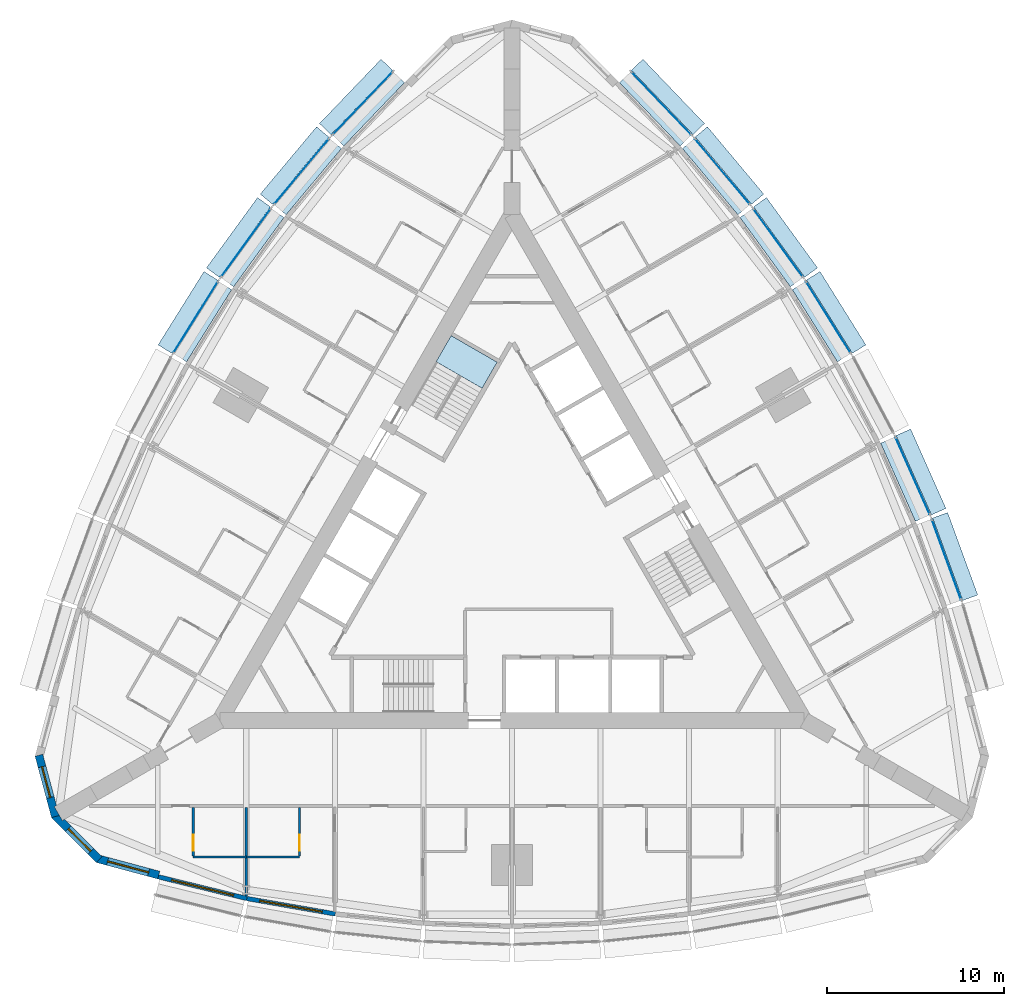
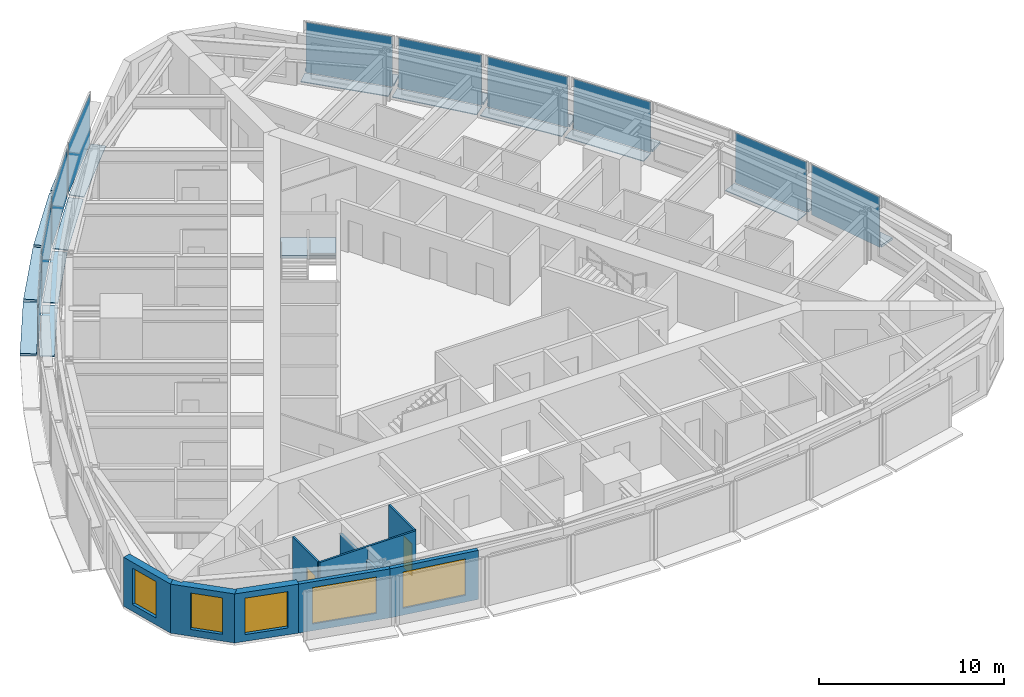
# One storey, part 7 of 14: 29 plates, 10 walls, 5 windows, 2 doors, 1 slab, 7 openings, 11 elements without a shape of their own.
"""IFC4 building model written with IfcOpenShell, lengths in metres."""

from ifc_helpers import new_model, si_unit, direction, frame, frame_2d, origin, origin_2d, place, context, subcontext, project, spatial, polyline, rectangle, outline, extrude, material, layer, layer_set, type_object, element, fill, aggregate, save


model = new_model("IFC4")

# Units and contexts
model_context = context("Model", 3, precision=1e-05, world=origin(), true_north=direction((0.0, 1.0)))
body_context = subcontext(model_context, "Body", "Model", "MODEL_VIEW")
ifc_project = project(units=[si_unit("LENGTHUNIT", "METRE"), si_unit("AREAUNIT", "SQUARE_METRE"), si_unit("VOLUMEUNIT", "CUBIC_METRE"), si_unit("PLANEANGLEUNIT", "RADIAN"), si_unit("MASSUNIT", "GRAM", prefix="KILO")], contexts=[model_context])

# Site, building, storey
site_placement = place(None, origin())
site = spatial("IfcSite", under=ifc_project, at=site_placement, CompositionType="ELEMENT")
building_placement = place(site_placement, origin())
building = spatial("IfcBuilding", under=site, at=building_placement, Name="Trikona Tower", CompositionType="ELEMENT")
storey_placement = place(building_placement, frame((0.0, 0.0, 138.5)))
storey = spatial("IfcBuildingStorey", under=building, at=storey_placement, Name="L36", CompositionType="ELEMENT", Elevation=138.5)

# Plates
ifc_material_1 = material(Name="Aluminium bar grating", Category="aluminium")
ifc_layer_1 = layer(ifc_material_1, 0.050048828125)
ifc_layer_set_1 = layer_set([ifc_layer_1], Name="Cavity catwalk grating")
plate_type_1 = type_object("IfcPlateType", Name="Cavity catwalk grating", PredefinedType="USERDEFINED", material=ifc_layer_set_1)
plate_1_placement = place(storey_placement, frame((22.175048828125, 4.092529296875, -0.0498046875), z_axis=(0.0, 0.0, 1.0), x_axis=(-0.406843467615, 0.913497888809, 0.0)))
element("IfcPlate", 1, at=plate_1_placement, inside=storey, type_object=plate_type_1, Name="Cavity catwalk L36-14", ObjectType="CATWALK GRATING", PredefinedType="USERDEFINED", context=body_context, shape_type="SweptSolid", body=[
    extrude(rectangle(XDim=4.827392578125, YDim=0.830078125, at=origin_2d()), origin(), (0.0, 0.0, 1.0), 0.050048828125),
])
plate_2_placement = place(storey_placement, frame((17.450927734375, 12.978759765625, -0.0498046875), z_axis=(0.0, 0.0, 1.0), x_axis=(-0.529994748414, 0.848000923734, 0.0)))
element("IfcPlate", 2, at=plate_2_placement, inside=storey, type_object=plate_type_1, Name="Cavity catwalk L36-16", ObjectType="CATWALK GRATING", PredefinedType="USERDEFINED", context=body_context, shape_type="SweptSolid", body=[
    extrude(rectangle(XDim=4.802978515625, YDim=0.830078125, at=origin_2d()), origin(), (0.0, 0.0, 1.0), 0.050048828125),
])
plate_3_placement = place(storey_placement, frame((14.6318359375, 17.157958984375, -0.0498046875), z_axis=(0.0, 0.0, 1.0), x_axis=(-0.587686407834, 0.809088799853, 0.0)))
element("IfcPlate", 3, at=plate_3_placement, inside=storey, type_object=plate_type_1, Name="Cavity catwalk L36-17", ObjectType="CATWALK GRATING", PredefinedType="USERDEFINED", context=body_context, shape_type="SweptSolid", body=[
    extrude(rectangle(XDim=4.827392578125, YDim=0.830078125, at=origin_2d()), origin(), (0.0, 0.0, 1.0), 0.050048828125),
])
plate_4_placement = place(storey_placement, frame((11.508056640625, 21.160400390625, -0.0498046875), z_axis=(0.0, 0.0, 1.0), x_axis=(-0.641807063101, 0.766866151133, 0.0)))
element("IfcPlate", 4, at=plate_4_placement, inside=storey, type_object=plate_type_1, Name="Cavity catwalk L36-18", ObjectType="CATWALK GRATING", PredefinedType="USERDEFINED", context=body_context, shape_type="SweptSolid", body=[
    extrude(rectangle(XDim=4.8759765625, YDim=0.830078125, at=origin_2d()), origin(), (0.0, 0.0, 1.0), 0.050048828125),
])
for number, where, z_axis, x_axis, name in (
    (5, (8.080078125, 24.986328125, -0.0498046875), (0.0, 0.0, 1.0), (-0.691723573819, 0.722162376078, 0.0), "Cavity catwalk L36-19"),
    (6, (-8.080078125, 24.986328125, -0.0498046875), (0.0, 0.0, 1.0), (-0.691723573819, -0.722162376078, 0.0), "Cavity catwalk L36-24"),
):
    element("IfcPlate", number, at=place(storey_placement, frame(where, z_axis=z_axis, x_axis=x_axis)), inside=storey, type_object=plate_type_1, Name=name, ObjectType="CATWALK GRATING", PredefinedType="USERDEFINED", context=body_context, shape_type="SweptSolid", body=[
        extrude(rectangle(XDim=4.947998046875, YDim=0.830078125, at=origin_2d()), origin(), (0.0, 0.0, 1.0), 0.050048828125),
    ])
plate_5_placement = place(storey_placement, frame((-11.508056640625, 21.160400390625, -0.0498046875), z_axis=(0.0, 0.0, 1.0), x_axis=(-0.641807063101, -0.766866151133, 0.0)))
element("IfcPlate", 7, at=plate_5_placement, inside=storey, type_object=plate_type_1, Name="Cavity catwalk L36-25", ObjectType="CATWALK GRATING", PredefinedType="USERDEFINED", context=body_context, shape_type="SweptSolid", body=[
    extrude(rectangle(XDim=4.8759765625, YDim=0.830078125, at=origin_2d()), origin(), (0.0, 0.0, 1.0), 0.050048828125),
])
plate_6_placement = place(storey_placement, frame((-14.6318359375, 17.157958984375, -0.0498046875), z_axis=(0.0, 0.0, 1.0), x_axis=(-0.587686407834, -0.809088799853, 0.0)))
element("IfcPlate", 8, at=plate_6_placement, inside=storey, type_object=plate_type_1, Name="Cavity catwalk L36-26", ObjectType="CATWALK GRATING", PredefinedType="USERDEFINED", context=body_context, shape_type="SweptSolid", body=[
    extrude(rectangle(XDim=4.827392578125, YDim=0.830078125, at=origin_2d()), origin(), (0.0, 0.0, 1.0), 0.050048828125),
])
plate_7_placement = place(storey_placement, frame((-17.450927734375, 12.978759765625, -0.0498046875), z_axis=(0.0, 0.0, 1.0), x_axis=(-0.529994748414, -0.848000923734, 0.0)))
element("IfcPlate", 9, at=plate_7_placement, inside=storey, type_object=plate_type_1, Name="Cavity catwalk L36-27", ObjectType="CATWALK GRATING", PredefinedType="USERDEFINED", context=body_context, shape_type="SweptSolid", body=[
    extrude(rectangle(XDim=4.802978515625, YDim=0.830078125, at=origin_2d()), origin(), (0.0, 0.0, 1.0), 0.050048828125),
])

# Curtain wall, plate
ifc_material_2 = material(Name="Aluminium curtain wall system", Category="aluminium")
curtain_wall_type = type_object("IfcCurtainWallType", Name="Curtain wall DS2", PredefinedType="NOTDEFINED", material=ifc_material_2)
curtain_wall_1_placement = place(storey_placement, origin())
curtain_wall_1 = element("IfcCurtainWall", 10, at=curtain_wall_1_placement, inside=storey, type_object=curtain_wall_type, Name="Curtain wall DS2 L36", PredefinedType="NOTDEFINED")
ifc_material_3 = material(Name="Laminated clear glass", Category="glass")
ifc_layer_2 = layer(ifc_material_3, 0.028076171875)
ifc_layer_set_2 = layer_set([ifc_layer_2], Name="Glass panel DS2")
plate_type_2 = type_object("IfcPlateType", Name="Glass panel DS2", PredefinedType="CURTAIN_PANEL", material=ifc_layer_set_2)
plate_8_placement = place(storey_placement, frame((24.53515625, -0.447509765625, 0.0), z_axis=(0.0, 0.0, 1.0), x_axis=(-0.343223420143, 0.939253790978, 0.0)))
plate_8 = element("IfcPlate", 11, at=plate_8_placement, type_object=plate_type_2, Name="CW-DS2 panel 1.1", PredefinedType="CURTAIN_PANEL", context=body_context, shape_type="SweptSolid", body=[
    extrude(rectangle(XDim=4.7958984375, YDim=0.028076171875, at=origin_2d()), origin(), (0.0, 0.0, 1.0), 3.320068359375),
])
aggregate(curtain_wall_1, [plate_8])

curtain_wall_2_placement = place(storey_placement, origin())
curtain_wall_2 = element("IfcCurtainWall", 12, at=curtain_wall_2_placement, inside=storey, type_object=curtain_wall_type, Name="Curtain wall DS2 L36", PredefinedType="NOTDEFINED")
plate_9_placement = place(storey_placement, frame((22.6181640625, 4.289794921875, 0.0), z_axis=(0.0, 0.0, 1.0), x_axis=(-0.406836013132, 0.913501208767, 0.0)))
plate_9 = element("IfcPlate", 13, at=plate_9_placement, type_object=plate_type_2, Name="CW-DS2 panel 1.1", PredefinedType="CURTAIN_PANEL", context=body_context, shape_type="SweptSolid", body=[
    extrude(rectangle(XDim=4.747314453125, YDim=0.028076171875, at=origin_2d()), origin(), (0.0, 0.0, 1.0), 3.320068359375),
])
aggregate(curtain_wall_2, [plate_9])

curtain_wall_3_placement = place(storey_placement, origin())
curtain_wall_3 = element("IfcCurtainWall", 14, at=curtain_wall_3_placement, inside=storey, type_object=curtain_wall_type, Name="Curtain wall DS2 L36", PredefinedType="NOTDEFINED")
plate_10_placement = place(storey_placement, frame((17.8623046875, 13.23583984375, 0.0), z_axis=(0.0, 0.0, 1.0), x_axis=(-0.529998940002, 0.847998304006, 0.0)))
plate_10 = element("IfcPlate", 15, at=plate_10_placement, type_object=plate_type_2, Name="CW-DS2 panel 1.1", PredefinedType="CURTAIN_PANEL", context=body_context, shape_type="SweptSolid", body=[
    extrude(rectangle(XDim=4.72314453125, YDim=0.028076171875, at=origin_2d()), origin(), (0.0, 0.0, 1.0), 3.320068359375),
])
aggregate(curtain_wall_3, [plate_10])

curtain_wall_4_placement = place(storey_placement, origin())
curtain_wall_4 = element("IfcCurtainWall", 16, at=curtain_wall_4_placement, inside=storey, type_object=curtain_wall_type, Name="Curtain wall DS2 L36", PredefinedType="NOTDEFINED")
plate_11_placement = place(storey_placement, frame((15.024169921875, 17.443115234375, 0.0), z_axis=(0.0, 0.0, 1.0), x_axis=(-0.587690588313, 0.80908576332, 0.0)))
plate_11 = element("IfcPlate", 17, at=plate_11_placement, type_object=plate_type_2, Name="CW-DS2 panel 1.1", PredefinedType="CURTAIN_PANEL", context=body_context, shape_type="SweptSolid", body=[
    extrude(rectangle(XDim=4.74755859375, YDim=0.028076171875, at=origin_2d()), origin(), (0.0, 0.0, 1.0), 3.320068359375),
])
aggregate(curtain_wall_4, [plate_11])

curtain_wall_5_placement = place(storey_placement, origin())
curtain_wall_5 = element("IfcCurtainWall", 18, at=curtain_wall_5_placement, inside=storey, type_object=curtain_wall_type, Name="Curtain wall DS2 L36", PredefinedType="NOTDEFINED")
plate_12_placement = place(storey_placement, frame((11.8798828125, 21.4716796875, 0.0), z_axis=(0.0, 0.0, 1.0), x_axis=(-0.641806433248, 0.766866678271, 0.0)))
plate_12 = element("IfcPlate", 19, at=plate_12_placement, type_object=plate_type_2, Name="CW-DS2 panel 1.1", PredefinedType="CURTAIN_PANEL", context=body_context, shape_type="SweptSolid", body=[
    extrude(rectangle(XDim=4.7958984375, YDim=0.028076171875, at=origin_2d()), origin(), (0.0, 0.0, 1.0), 3.320068359375),
])
aggregate(curtain_wall_5, [plate_12])

curtain_wall_6_placement = place(storey_placement, origin())
curtain_wall_6 = element("IfcCurtainWall", 20, at=curtain_wall_6_placement, inside=storey, type_object=curtain_wall_type, Name="Curtain wall DS2 L36", PredefinedType="NOTDEFINED")
plate_13_placement = place(storey_placement, frame((8.430419921875, 25.32177734375, 0.0), z_axis=(0.0, 0.0, 1.0), x_axis=(-0.691727797117, 0.722158330767, 0.0)))
plate_13 = element("IfcPlate", 21, at=plate_13_placement, type_object=plate_type_2, Name="CW-DS2 panel 1.1", PredefinedType="CURTAIN_PANEL", context=body_context, shape_type="SweptSolid", body=[
    extrude(rectangle(XDim=4.867919921875, YDim=0.028076171875, at=origin_2d()), origin(), (0.0, 0.0, 1.0), 3.320068359375),
])
aggregate(curtain_wall_6, [plate_13])

curtain_wall_7_placement = place(storey_placement, origin())
curtain_wall_7 = element("IfcCurtainWall", 22, at=curtain_wall_7_placement, inside=storey, type_object=curtain_wall_type, Name="Curtain wall DS2 L36", PredefinedType="NOTDEFINED")
plate_14_placement = place(storey_placement, frame((-8.430419921875, 25.32177734375, 0.0), z_axis=(0.0, 0.0, 1.0), x_axis=(-0.691727797117, -0.722158330767, 0.0)))
plate_14 = element("IfcPlate", 23, at=plate_14_placement, type_object=plate_type_2, Name="CW-DS2 panel 1.1", PredefinedType="CURTAIN_PANEL", context=body_context, shape_type="SweptSolid", body=[
    extrude(rectangle(XDim=4.867919921875, YDim=0.028076171875, at=origin_2d()), origin(), (0.0, 0.0, 1.0), 3.320068359375),
])
aggregate(curtain_wall_7, [plate_14])

curtain_wall_8_placement = place(storey_placement, origin())
curtain_wall_8 = element("IfcCurtainWall", 24, at=curtain_wall_8_placement, inside=storey, type_object=curtain_wall_type, Name="Curtain wall DS2 L36", PredefinedType="NOTDEFINED")
plate_15_placement = place(storey_placement, frame((-11.8798828125, 21.4716796875, 0.0), z_axis=(0.0, 0.0, 1.0), x_axis=(-0.641806433248, -0.766866678271, 0.0)))
plate_15 = element("IfcPlate", 25, at=plate_15_placement, type_object=plate_type_2, Name="CW-DS2 panel 1.1", PredefinedType="CURTAIN_PANEL", context=body_context, shape_type="SweptSolid", body=[
    extrude(rectangle(XDim=4.7958984375, YDim=0.028076171875, at=origin_2d()), origin(), (0.0, 0.0, 1.0), 3.320068359375),
])
aggregate(curtain_wall_8, [plate_15])

curtain_wall_9_placement = place(storey_placement, origin())
curtain_wall_9 = element("IfcCurtainWall", 26, at=curtain_wall_9_placement, inside=storey, type_object=curtain_wall_type, Name="Curtain wall DS2 L36", PredefinedType="NOTDEFINED")
plate_16_placement = place(storey_placement, frame((-15.024169921875, 17.443115234375, 0.0), z_axis=(0.0, 0.0, 1.0), x_axis=(-0.587690588313, -0.80908576332, 0.0)))
plate_16 = element("IfcPlate", 27, at=plate_16_placement, type_object=plate_type_2, Name="CW-DS2 panel 1.1", PredefinedType="CURTAIN_PANEL", context=body_context, shape_type="SweptSolid", body=[
    extrude(rectangle(XDim=4.74755859375, YDim=0.028076171875, at=origin_2d()), origin(), (0.0, 0.0, 1.0), 3.320068359375),
])
aggregate(curtain_wall_9, [plate_16])

curtain_wall_10_placement = place(storey_placement, origin())
curtain_wall_10 = element("IfcCurtainWall", 28, at=curtain_wall_10_placement, inside=storey, type_object=curtain_wall_type, Name="Curtain wall DS2 L36", PredefinedType="NOTDEFINED")
plate_17_placement = place(storey_placement, frame((-17.8623046875, 13.23583984375, 0.0), z_axis=(0.0, 0.0, 1.0), x_axis=(-0.529998940002, -0.847998304006, 0.0)))
plate_17 = element("IfcPlate", 29, at=plate_17_placement, type_object=plate_type_2, Name="CW-DS2 panel 1.1", PredefinedType="CURTAIN_PANEL", context=body_context, shape_type="SweptSolid", body=[
    extrude(rectangle(XDim=4.72314453125, YDim=0.028076171875, at=origin_2d()), origin(), (0.0, 0.0, 1.0), 3.320068359375),
])
aggregate(curtain_wall_10, [plate_17])

# Plates
ifc_material_4 = material(Name="Aluminium plate fin, pale anodised, on stainless steel outriggers", Category="steel")
ifc_layer_3 = layer(ifc_material_4, 0.14990234375)
ifc_layer_set_3 = layer_set([ifc_layer_3], Name="Outer skin fin 900")
plate_type_3 = type_object("IfcPlateType", Name="Outer skin fin 900", PredefinedType="USERDEFINED", material=ifc_layer_set_3)
plate_18_placement = place(storey_placement, frame((25.0234375, -0.26904296875, 0.0), z_axis=(0.0, 0.0, 1.0), x_axis=(-0.343220397324, 0.939254895575, 0.0)))
element("IfcPlate", 30, at=plate_18_placement, inside=storey, type_object=plate_type_3, Name="Outer skin fin L36-13", ObjectType="FIN", PredefinedType="USERDEFINED", context=body_context, shape_type="SweptSolid", body=[
    extrude(rectangle(XDim=4.9560546875, YDim=0.89990234375, at=origin_2d()), origin(), (0.0, 0.0, 1.0), 0.14990234375),
])
plate_19_placement = place(storey_placement, frame((23.09326171875, 4.50146484375, 0.0), z_axis=(0.0, 0.0, 1.0), x_axis=(-0.406843467615, 0.913497888809, 0.0)))
element("IfcPlate", 31, at=plate_19_placement, inside=storey, type_object=plate_type_3, Name="Outer skin fin L36-14", ObjectType="FIN", PredefinedType="USERDEFINED", context=body_context, shape_type="SweptSolid", body=[
    extrude(rectangle(XDim=4.907470703125, YDim=0.89990234375, at=origin_2d()), origin(), (0.0, 0.0, 1.0), 0.14990234375),
])
plate_20_placement = place(storey_placement, frame((18.30322265625, 13.511474609375, 0.0), z_axis=(0.0, 0.0, 1.0), x_axis=(-0.529994748414, 0.848000923734, 0.0)))
element("IfcPlate", 32, at=plate_20_placement, inside=storey, type_object=plate_type_3, Name="Outer skin fin L36-16", ObjectType="FIN", PredefinedType="USERDEFINED", context=body_context, shape_type="SweptSolid", body=[
    extrude(rectangle(XDim=4.883056640625, YDim=0.89990234375, at=origin_2d()), origin(), (0.0, 0.0, 1.0), 0.14990234375),
])
plate_21_placement = place(storey_placement, frame((15.44482421875, 17.74853515625, 0.0), z_axis=(0.0, 0.0, 1.0), x_axis=(-0.587686407834, 0.809088799853, 0.0)))
element("IfcPlate", 33, at=plate_21_placement, inside=storey, type_object=plate_type_3, Name="Outer skin fin L36-17", ObjectType="FIN", PredefinedType="USERDEFINED", context=body_context, shape_type="SweptSolid", body=[
    extrude(rectangle(XDim=4.907470703125, YDim=0.89990234375, at=origin_2d()), origin(), (0.0, 0.0, 1.0), 0.14990234375),
])
plate_22_placement = place(storey_placement, frame((12.27880859375, 21.8056640625, 0.0), z_axis=(0.0, 0.0, 1.0), x_axis=(-0.641807063101, 0.766866151133, 0.0)))
element("IfcPlate", 34, at=plate_22_placement, inside=storey, type_object=plate_type_3, Name="Outer skin fin L36-18", ObjectType="FIN", PredefinedType="USERDEFINED", context=body_context, shape_type="SweptSolid", body=[
    extrude(rectangle(XDim=4.9560546875, YDim=0.89990234375, at=origin_2d()), origin(), (0.0, 0.0, 1.0), 0.14990234375),
])
for number, where, z_axis, x_axis, name in (
    (35, (8.805908203125, 25.681396484375, 0.0), (0.0, 0.0, 1.0), (-0.691723573819, 0.722162376078, 0.0), "Outer skin fin L36-19"),
    (36, (-8.805908203125, 25.681396484375, 0.0), (0.0, 0.0, 1.0), (-0.691723573819, -0.722162376078, 0.0), "Outer skin fin L36-24"),
):
    element("IfcPlate", number, at=place(storey_placement, frame(where, z_axis=z_axis, x_axis=x_axis)), inside=storey, type_object=plate_type_3, Name=name, ObjectType="FIN", PredefinedType="USERDEFINED", context=body_context, shape_type="SweptSolid", body=[
        extrude(rectangle(XDim=5.02783203125, YDim=0.89990234375, at=origin_2d()), origin(), (0.0, 0.0, 1.0), 0.14990234375),
    ])
plate_23_placement = place(storey_placement, frame((-12.27880859375, 21.8056640625, 0.0), z_axis=(0.0, 0.0, 1.0), x_axis=(-0.641807063101, -0.766866151133, 0.0)))
element("IfcPlate", 37, at=plate_23_placement, inside=storey, type_object=plate_type_3, Name="Outer skin fin L36-25", ObjectType="FIN", PredefinedType="USERDEFINED", context=body_context, shape_type="SweptSolid", body=[
    extrude(rectangle(XDim=4.9560546875, YDim=0.89990234375, at=origin_2d()), origin(), (0.0, 0.0, 1.0), 0.14990234375),
])
plate_24_placement = place(storey_placement, frame((-15.44482421875, 17.74853515625, 0.0), z_axis=(0.0, 0.0, 1.0), x_axis=(-0.587686407834, -0.809088799853, 0.0)))
element("IfcPlate", 38, at=plate_24_placement, inside=storey, type_object=plate_type_3, Name="Outer skin fin L36-26", ObjectType="FIN", PredefinedType="USERDEFINED", context=body_context, shape_type="SweptSolid", body=[
    extrude(rectangle(XDim=4.907470703125, YDim=0.89990234375, at=origin_2d()), origin(), (0.0, 0.0, 1.0), 0.14990234375),
])
plate_25_placement = place(storey_placement, frame((-18.30322265625, 13.511474609375, 0.0), z_axis=(0.0, 0.0, 1.0), x_axis=(-0.529994748414, -0.848000923734, 0.0)))
element("IfcPlate", 39, at=plate_25_placement, inside=storey, type_object=plate_type_3, Name="Outer skin fin L36-27", ObjectType="FIN", PredefinedType="USERDEFINED", context=body_context, shape_type="SweptSolid", body=[
    extrude(rectangle(XDim=4.883056640625, YDim=0.89990234375, at=origin_2d()), origin(), (0.0, 0.0, 1.0), 0.14990234375),
])

# Stair, slab
ifc_material_5 = material(Name="Concrete f'c 5000 psi", Category="concrete")
stair_type = type_object("IfcStairType", Name="Core stair", PredefinedType="HALF_TURN_STAIR", material=ifc_material_5)
stair_placement = place(storey_placement, origin())
stair = element("IfcStair", 40, at=stair_placement, inside=storey, type_object=stair_type, Name="Stair C L36", PredefinedType="HALF_TURN_STAIR")
ifc_material_6 = material(Name="Concrete f'c 5000 psi", Category="concrete")
ifc_layer_4 = layer(ifc_material_6, 0.199951171875)
ifc_layer_set_4 = layer_set([ifc_layer_4], Name="Stair landing 200")
slab_type = type_object("IfcSlabType", Name="Stair landing 200", PredefinedType="LANDING", material=ifc_layer_set_4)
slab_placement = place(storey_placement, frame((0.0, 0.0, 1.5)))
slab = element("IfcSlab", 41, at=slab_placement, type_object=slab_type, Name="ST-C landing 2", PredefinedType="LANDING", context=body_context, shape_type="SweptSolid", body=[
    extrude(outline(polyline([(-0.837158203125, 10.702392578125), (-1.688720703125, 9.2275390625), (-4.286865234375, 10.7275390625), (-3.435302734375, 12.202392578125), (-0.837158203125, 10.702392578125)])), origin(), (0.0, 0.0, 1.0), 0.199951171875),
])
aggregate(stair, [slab])

# Wall
ifc_material_7 = material(Name="Metal stud and cement board", Category="gypsum")
ifc_layer_5 = layer(ifc_material_7, 0.1201171875)
ifc_layer_set_5 = layer_set([ifc_layer_5], Name="Bathroom wall 120")
wall_type_1 = type_object("IfcWallType", Name="Bathroom wall 120", PredefinedType="PLUMBINGWALL", material=ifc_layer_set_5)
wall_1_placement = place(storey_placement, frame((-18.0, -17.226318359375, 0.0), z_axis=(0.0, 0.0, 1.0), x_axis=(1.0, 0.0, 0.0)))
element("IfcWall", 42, at=wall_1_placement, inside=storey, type_object=wall_type_1, Name="Bathroom wall 3601", PredefinedType="PLUMBINGWALL", context=body_context, shape_type="SweptSolid", body=[
    extrude(rectangle(XDim=3.0, YDim=0.1201171875, at=frame_2d((1.5, 0.0))), origin(), (0.0, 0.0, 1.0), 3.235107421875),
])

# Wall, opening, door
wall_2_placement = place(storey_placement, frame((-18.0, -14.42626953125, 0.0), z_axis=(0.0, 0.0, 1.0), x_axis=(0.0, -1.0, 0.0)))
wall_2 = element("IfcWall", 43, at=wall_2_placement, inside=storey, type_object=wall_type_1, Name="Bathroom wall 3601", PredefinedType="PLUMBINGWALL", context=body_context, shape_type="SweptSolid", body=[
    extrude(rectangle(XDim=2.739990234375, YDim=0.1201171875, at=frame_2d((1.3701171875, 0.0))), origin(), (0.0, 0.0, 1.0), 3.235107421875),
])
opening_1_placement = place(wall_2_placement, frame((1.550048828125, 0.0, 0.0)))
opening_1 = element("IfcOpeningElement", 44, at=opening_1_placement, cuts=wall_2, Name="Opening D2", PredefinedType="OPENING", context=body_context, shape_type="SweptSolid", body=[
    extrude(rectangle(XDim=0.89990234375, YDim=2.1298828125, at=frame_2d((0.449951171875, 1.06494140625))), frame((0.0, 0.070068359375, 0.0), z_axis=(0.0, -1.0, 0.0), x_axis=(1.0, 0.0, 0.0)), (0.0, 0.0, 1.0), 0.14013671875),
])
ifc_material_8 = material(Name="Steel door frame with solid-core timber leaf", Category="steel")
door_type = type_object("IfcDoorType", Name="Bathroom door 900x2130", OperationType="SLIDING_TO_LEFT", PredefinedType="DOOR", material=ifc_material_8)
door_1_placement = place(opening_1_placement, origin())
door_1 = element("IfcDoor", 45, at=door_1_placement, inside=storey, type_object=door_type, Name="Bathroom door 3601", OperationType="SLIDING_TO_LEFT", OverallHeight=2.1298828125, OverallWidth=0.89990234375, PredefinedType="DOOR", context=body_context, shape_type="SweptSolid", body=[
    extrude(rectangle(XDim=0.89990234375, YDim=2.1298828125, at=frame_2d((0.449951171875, 1.06494140625))), frame((0.0, 0.02490234375, 0.0), z_axis=(0.0, -1.0, 0.0), x_axis=(1.0, 0.0, 0.0)), (0.0, 0.0, 1.0), 0.050048828125),
])
fill(opening_1, door_1)

# Wall
wall_3_placement = place(storey_placement, frame((-15.0, -17.226318359375, 0.0), z_axis=(0.0, 0.0, 1.0), x_axis=(1.0, 0.0, 0.0)))
element("IfcWall", 46, at=wall_3_placement, inside=storey, type_object=wall_type_1, Name="Bathroom wall 3602.1", PredefinedType="PLUMBINGWALL", context=body_context, shape_type="SweptSolid", body=[
    extrude(rectangle(XDim=3.0, YDim=0.1201171875, at=frame_2d((1.5, 0.0))), origin(), (0.0, 0.0, 1.0), 3.235107421875),
])

# Wall, opening, door
wall_4_placement = place(storey_placement, frame((-12.0, -14.42626953125, 0.0), z_axis=(0.0, 0.0, 1.0), x_axis=(0.0, -1.0, 0.0)))
wall_4 = element("IfcWall", 47, at=wall_4_placement, inside=storey, type_object=wall_type_1, Name="Bathroom wall 3602.1", PredefinedType="PLUMBINGWALL", context=body_context, shape_type="SweptSolid", body=[
    extrude(rectangle(XDim=2.739990234375, YDim=0.1201171875, at=frame_2d((1.3701171875, 0.0))), origin(), (0.0, 0.0, 1.0), 3.235107421875),
])
opening_2_placement = place(wall_4_placement, frame((1.550048828125, 0.0, 0.0)))
opening_2 = element("IfcOpeningElement", 48, at=opening_2_placement, cuts=wall_4, Name="Opening D2", PredefinedType="OPENING", context=body_context, shape_type="SweptSolid", body=[
    extrude(rectangle(XDim=0.89990234375, YDim=2.1298828125, at=frame_2d((0.449951171875, 1.06494140625))), frame((0.0, 0.070068359375, 0.0), z_axis=(0.0, -1.0, 0.0), x_axis=(1.0, 0.0, 0.0)), (0.0, 0.0, 1.0), 0.14013671875),
])
door_2_placement = place(opening_2_placement, origin())
door_2 = element("IfcDoor", 49, at=door_2_placement, inside=storey, type_object=door_type, Name="Bathroom door 3602.1", OperationType="SLIDING_TO_LEFT", OverallHeight=2.1298828125, OverallWidth=0.89990234375, PredefinedType="DOOR", context=body_context, shape_type="SweptSolid", body=[
    extrude(rectangle(XDim=0.89990234375, YDim=2.1298828125, at=frame_2d((0.449951171875, 1.06494140625))), frame((0.0, 0.02490234375, 0.0), z_axis=(0.0, -1.0, 0.0), x_axis=(1.0, 0.0, 0.0)), (0.0, 0.0, 1.0), 0.050048828125),
])
fill(opening_2, door_2)

# Wall, opening, window
ifc_material_9 = material(Name="Brick-faced precast concrete", Category="masonry")
ifc_layer_6 = layer(ifc_material_9, 0.449951171875)
ifc_layer_set_6 = layer_set([ifc_layer_6], Name="Brick-faced corner wall 450")
wall_type_2 = type_object("IfcWallType", Name="Brick-faced corner wall 450", PredefinedType="SOLIDWALL", material=ifc_layer_set_6)
wall_5_placement = place(storey_placement, frame((-26.7109375, -11.48876953125, 0.0), z_axis=(0.0, 0.0, 1.0), x_axis=(0.258823421857, -0.965924653531, 0.0)))
wall_5 = element("IfcWall", 50, at=wall_5_placement, inside=storey, type_object=wall_type_2, Name="External wall L36-33", PredefinedType="SOLIDWALL", context=body_context, shape_type="SweptSolid", body=[
    extrude(outline(polyline([(3.58642578125, 0.22509765625), (3.52685546875, 0.22509765625), (3.03515625, 0.09326171875), (3.0, 0.22509765625), (0.0, 0.22509765625), (0.0, -0.22509765625), (3.58642578125, -0.22509765625), (3.58642578125, 0.22509765625)])), origin(), (0.0, 0.0, 1.0), 3.235107421875),
])
opening_3_placement = place(wall_5_placement, frame((0.6748046875, 0.0, 0.449951171875)))
opening_3 = element("IfcOpeningElement", 51, at=opening_3_placement, cuts=wall_5, Name="Opening W1824", PredefinedType="OPENING", context=body_context, shape_type="SweptSolid", body=[
    extrude(rectangle(XDim=1.800048828125, YDim=2.39990234375, at=frame_2d((0.89990234375, 1.199951171875))), frame((0.0, 0.23486328125, 0.0), z_axis=(0.0, -1.0, 0.0), x_axis=(1.0, 0.0, 0.0)), (0.0, 0.0, 1.0), 0.469970703125),
])
ifc_material_10 = material(Name="Aluminium-framed double glazing", Category="aluminium")
window_type_1 = type_object("IfcWindowType", Name="Window 1800x2400", PartitioningType="SINGLE_PANEL", PredefinedType="WINDOW", material=ifc_material_10)
window_1_placement = place(opening_3_placement, origin())
window_1 = element("IfcWindow", 52, at=window_1_placement, inside=storey, type_object=window_type_1, Name="Window 3616", OverallHeight=2.39990234375, OverallWidth=1.800048828125, PartitioningType="SINGLE_PANEL", PredefinedType="WINDOW", context=body_context, shape_type="SweptSolid", body=[
    extrude(rectangle(XDim=1.800048828125, YDim=2.39990234375, at=frame_2d((0.89990234375, 1.199951171875))), frame((0.0, 0.030029296875, 0.0), z_axis=(0.0, -1.0, 0.0), x_axis=(1.0, 0.0, 0.0)), (0.0, 0.0, 1.0), 0.06005859375),
])
fill(opening_3, window_1)

wall_6_placement = place(storey_placement, frame((-25.8408203125, -14.85205078125, 0.0), z_axis=(0.0, 0.0, 1.0), x_axis=(0.707106781187, -0.707106781187, 0.0)))
wall_6 = element("IfcWall", 53, at=wall_6_placement, inside=storey, type_object=wall_type_2, Name="External wall L36-34", PredefinedType="SOLIDWALL", context=body_context, shape_type="SweptSolid", body=[
    extrude(outline(polyline([(3.586181640625, 0.22509765625), (0.58642578125, 0.22509765625), (0.551025390625, 0.09326171875), (0.05908203125, 0.22509765625), (0.0, 0.22509765625), (0.0, -0.22509765625), (3.586181640625, -0.22509765625), (3.586181640625, 0.22509765625)])), origin(), (0.0, 0.0, 1.0), 3.235107421875),
])
opening_4_placement = place(wall_6_placement, frame((1.111328125, 0.0, 0.449951171875)))
opening_4 = element("IfcOpeningElement", 54, at=opening_4_placement, cuts=wall_6, Name="Opening W1824", PredefinedType="OPENING", context=body_context, shape_type="SweptSolid", body=[
    extrude(rectangle(XDim=1.800048828125, YDim=2.39990234375, at=frame_2d((0.89990234375, 1.199951171875))), frame((0.0, 0.23486328125, 0.0), z_axis=(0.0, -1.0, 0.0), x_axis=(1.0, 0.0, 0.0)), (0.0, 0.0, 1.0), 0.469970703125),
])
window_2_placement = place(opening_4_placement, origin())
window_2 = element("IfcWindow", 55, at=window_2_placement, inside=storey, type_object=window_type_1, Name="Window 3601", OverallHeight=2.39990234375, OverallWidth=1.800048828125, PartitioningType="SINGLE_PANEL", PredefinedType="WINDOW", context=body_context, shape_type="SweptSolid", body=[
    extrude(rectangle(XDim=1.800048828125, YDim=2.39990234375, at=frame_2d((0.89990234375, 1.199951171875))), frame((0.0, 0.030029296875, 0.0), z_axis=(0.0, -1.0, 0.0), x_axis=(1.0, 0.0, 0.0)), (0.0, 0.0, 1.0), 0.06005859375),
])
fill(opening_4, window_2)

wall_7_placement = place(storey_placement, frame((-23.406005859375, -17.32958984375, 0.0), z_axis=(0.0, 0.0, 1.0), x_axis=(0.965924653531, -0.258823421857, 0.0)))
wall_7 = element("IfcWall", 56, at=wall_7_placement, inside=storey, type_object=wall_type_2, Name="External wall L36-35", PredefinedType="SOLIDWALL", context=body_context, shape_type="SweptSolid", body=[
    extrude(rectangle(XDim=3.58642578125, YDim=0.449951171875, at=frame_2d((1.793212890625, 0.0))), origin(), (0.0, 0.0, 1.0), 3.235107421875),
])
opening_5_placement = place(wall_7_placement, frame((0.593017578125, 0.0, 0.449951171875)))
opening_5 = element("IfcOpeningElement", 57, at=opening_5_placement, cuts=wall_7, Name="Opening W2424", PredefinedType="OPENING", context=body_context, shape_type="SweptSolid", body=[
    extrude(rectangle(XDim=2.39990234375, YDim=2.39990234375, at=frame_2d((1.199951171875, 1.199951171875))), frame((0.0, 0.23486328125, 0.0), z_axis=(0.0, -1.0, 0.0), x_axis=(1.0, 0.0, 0.0)), (0.0, 0.0, 1.0), 0.469970703125),
])
ifc_material_11 = material(Name="Aluminium-framed double glazing", Category="aluminium")
window_type_2 = type_object("IfcWindowType", Name="Window 2400x2400", PartitioningType="SINGLE_PANEL", PredefinedType="WINDOW", material=ifc_material_11)
window_3_placement = place(opening_5_placement, origin())
window_3 = element("IfcWindow", 58, at=window_3_placement, inside=storey, type_object=window_type_2, Name="Window 3601", OverallHeight=2.39990234375, OverallWidth=2.39990234375, PartitioningType="SINGLE_PANEL", PredefinedType="WINDOW", context=body_context, shape_type="SweptSolid", body=[
    extrude(rectangle(XDim=2.39990234375, YDim=2.39990234375, at=frame_2d((1.199951171875, 1.199951171875))), frame((0.0, 0.030029296875, 0.0), z_axis=(0.0, -1.0, 0.0), x_axis=(1.0, 0.0, 0.0)), (0.0, 0.0, 1.0), 0.06005859375),
])
fill(opening_5, window_3)

ifc_material_12 = material(Name="Insulated precast concrete spandrel panel", Category="concrete")
ifc_layer_7 = layer(ifc_material_12, 0.25)
ifc_layer_set_7 = layer_set([ifc_layer_7], Name="Inner skin wall 250")
wall_type_3 = type_object("IfcWallType", Name="Inner skin wall 250", PredefinedType="STANDARD", material=ifc_layer_set_7)
wall_8_placement = place(storey_placement, frame((-19.97021484375, -18.353759765625, 0.0), z_axis=(0.0, 0.0, 1.0), x_axis=(0.971270024053, -0.237980126011, 0.0)))
wall_8 = element("IfcWall", 59, at=wall_8_placement, inside=storey, type_object=wall_type_3, Name="External wall L36-00", PredefinedType="STANDARD", context=body_context, shape_type="SweptSolid", body=[
    extrude(rectangle(XDim=5.14794921875, YDim=0.25, at=frame_2d((2.573974609375, 0.0))), origin(), (0.0, 0.0, 1.0), 3.235107421875),
])
opening_6_placement = place(wall_8_placement, frame((0.77392578125, 0.0, 0.449951171875)))
opening_6 = element("IfcOpeningElement", 60, at=opening_6_placement, cuts=wall_8, Name="Opening W3624", PredefinedType="OPENING", context=body_context, shape_type="SweptSolid", body=[
    extrude(rectangle(XDim=3.60009765625, YDim=2.39990234375, at=frame_2d((1.800048828125, 1.199951171875))), frame((0.0, 0.135009765625, 0.0), z_axis=(0.0, -1.0, 0.0), x_axis=(1.0, 0.0, 0.0)), (0.0, 0.0, 1.0), 0.27001953125),
])
ifc_material_13 = material(Name="Aluminium-framed double glazing", Category="aluminium")
window_type_3 = type_object("IfcWindowType", Name="Window 3600x2400", PartitioningType="SINGLE_PANEL", PredefinedType="WINDOW", material=ifc_material_13)
window_4_placement = place(opening_6_placement, origin())
window_4 = element("IfcWindow", 61, at=window_4_placement, inside=storey, type_object=window_type_3, Name="Window 3601", OverallHeight=2.39990234375, OverallWidth=3.60009765625, PartitioningType="SINGLE_PANEL", PredefinedType="WINDOW", context=body_context, shape_type="SweptSolid", body=[
    extrude(rectangle(XDim=3.60009765625, YDim=2.39990234375, at=frame_2d((1.800048828125, 1.199951171875))), frame((0.0, 0.030029296875, 0.0), z_axis=(0.0, -1.0, 0.0), x_axis=(1.0, 0.0, 0.0)), (0.0, 0.0, 1.0), 0.06005859375),
])
fill(opening_6, window_4)

wall_9_placement = place(storey_placement, frame((-14.978515625, -19.5771484375, 0.0), z_axis=(0.0, 0.0, 1.0), x_axis=(0.985030467156, -0.172380331752, 0.0)))
wall_9 = element("IfcWall", 62, at=wall_9_placement, inside=storey, type_object=wall_type_3, Name="External wall L36-01", PredefinedType="STANDARD", context=body_context, shape_type="SweptSolid", body=[
    extrude(rectangle(XDim=5.075927734375, YDim=0.25, at=frame_2d((2.5380859375, 0.0))), origin(), (0.0, 0.0, 1.0), 3.235107421875),
])
opening_7_placement = place(wall_9_placement, frame((0.738037109375, 0.0, 0.449951171875)))
opening_7 = element("IfcOpeningElement", 63, at=opening_7_placement, cuts=wall_9, Name="Opening W3624", PredefinedType="OPENING", context=body_context, shape_type="SweptSolid", body=[
    extrude(rectangle(XDim=3.60009765625, YDim=2.39990234375, at=frame_2d((1.800048828125, 1.199951171875))), frame((0.0, 0.135009765625, 0.0), z_axis=(0.0, -1.0, 0.0), x_axis=(1.0, 0.0, 0.0)), (0.0, 0.0, 1.0), 0.27001953125),
])
window_5_placement = place(opening_7_placement, origin())
window_5 = element("IfcWindow", 64, at=window_5_placement, inside=storey, type_object=window_type_3, Name="Window 3602.1", OverallHeight=2.39990234375, OverallWidth=3.60009765625, PartitioningType="SINGLE_PANEL", PredefinedType="WINDOW", context=body_context, shape_type="SweptSolid", body=[
    extrude(rectangle(XDim=3.60009765625, YDim=2.39990234375, at=frame_2d((1.800048828125, 1.199951171875))), frame((0.0, 0.030029296875, 0.0), z_axis=(0.0, -1.0, 0.0), x_axis=(1.0, 0.0, 0.0)), (0.0, 0.0, 1.0), 0.06005859375),
])
fill(opening_7, window_5)

# Wall
ifc_material_14 = material(Name="Metal stud and gypsum board, 1-hour acoustic", Category="gypsum")
ifc_layer_8 = layer(ifc_material_14, 0.14990234375)
ifc_layer_set_8 = layer_set([ifc_layer_8], Name="Party wall 150")
wall_type_4 = type_object("IfcWallType", Name="Party wall 150", PredefinedType="PARTITIONING", material=ifc_layer_set_8)
wall_10_placement = place(storey_placement, frame((-15.0, -14.42626953125, 0.0), z_axis=(0.0, 0.0, 1.0), x_axis=(0.0, -1.0, 0.0)))
element("IfcWall", 65, at=wall_10_placement, inside=storey, type_object=wall_type_4, Name="Partition L36 F1 u-15", PredefinedType="PARTITIONING", context=body_context, shape_type="SweptSolid", body=[
    extrude(rectangle(XDim=5.0166015625, YDim=0.14990234375, at=frame_2d((2.50830078125, 0.0))), origin(), (0.0, 0.0, 1.0), 2.38916015625),
])

save(model, "model.ifc")
